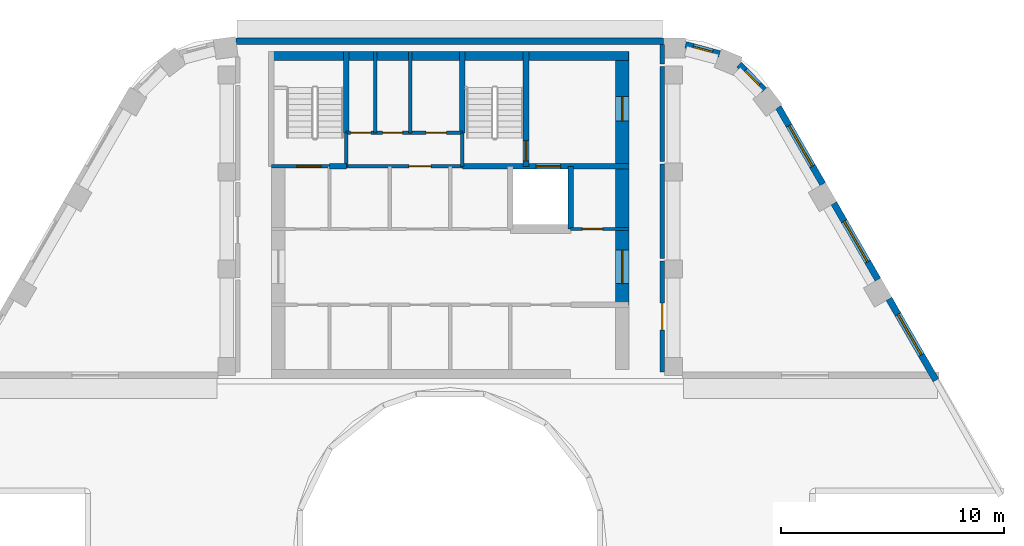
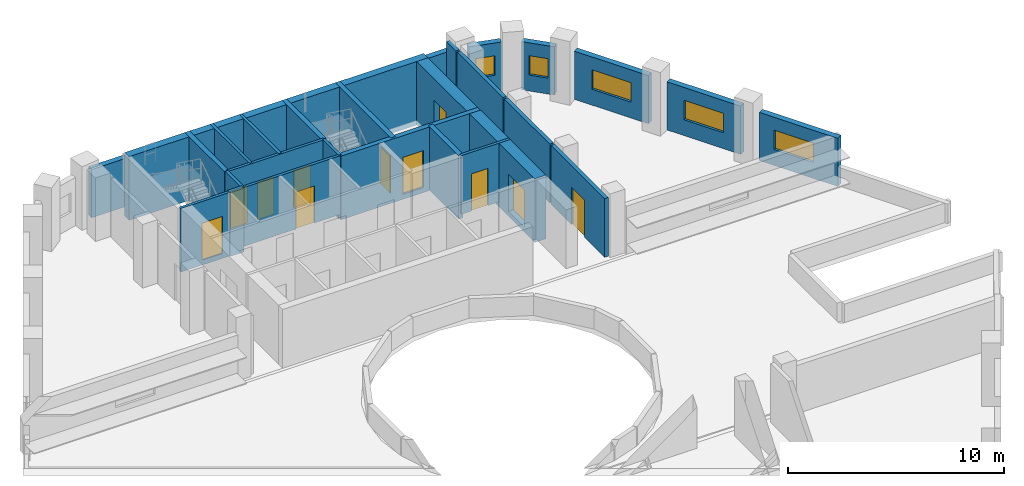
# One storey, part 5 of 9: 26 walls, 11 doors, 5 windows, 16 openings.
"""IFC4 building model written with IfcOpenShell, lengths in metres."""

from ifc_helpers import new_model, si_unit, direction, frame, frame_2d, origin, place, context, subcontext, project, spatial, rectangle, extrude, material, layer, layer_set, type_object, element, fill, save


model = new_model("IFC4")

# Units and contexts
model_context = context("Model", 3, precision=1e-05, world=origin(), true_north=direction((0.0, 1.0)))
body_context = subcontext(model_context, "Body", "Model", "MODEL_VIEW")
ifc_project = project(units=[si_unit("LENGTHUNIT", "METRE"), si_unit("AREAUNIT", "SQUARE_METRE"), si_unit("VOLUMEUNIT", "CUBIC_METRE"), si_unit("PLANEANGLEUNIT", "RADIAN"), si_unit("MASSUNIT", "GRAM", prefix="KILO")], contexts=[model_context])

# Site, building, storey
site_placement = place(None, origin())
site = spatial("IfcSite", under=ifc_project, at=site_placement, CompositionType="ELEMENT")
building_placement = place(site_placement, origin())
building = spatial("IfcBuilding", under=site, at=building_placement, Name="Nakaniwa Court", CompositionType="ELEMENT")
storey_placement = place(building_placement, frame((0.0, 0.0, 276.0)))
storey = spatial("IfcBuildingStorey", under=building, at=storey_placement, Name="C02", CompositionType="ELEMENT", Elevation=276.0)

# Wall, opening, door
ifc_material_1 = material(Name="Acoustic double stud partition")
ifc_layer_1 = layer(ifc_material_1, 0.199951171875)
ifc_layer_set_1 = layer_set([ifc_layer_1], Name="Acoustic double stud partition")
wall_type_1 = type_object("IfcWallType", Name="Acoustic double stud partition 200", PredefinedType="PARTITIONING", material=ifc_layer_set_1)
wall_1_placement = place(storey_placement, frame((89.5, 92.6630859375, 0.0), z_axis=(0.0, 0.0, 1.0), x_axis=(0.0, -1.0, 0.0)))
wall_1 = element("IfcWall", 1, at=wall_1_placement, inside=storey, type_object=wall_type_1, Name="Partition PW-061", PredefinedType="PARTITIONING", context=body_context, shape_type="SweptSolid", body=[
    extrude(rectangle(XDim=4.963134765625, YDim=0.199951171875, at=frame_2d((2.4814453125, 0.0))), origin(), (0.0, 0.0, 1.0), 3.324951171875),
])
opening_1_placement = place(wall_1_placement, frame((1.883056640625, 0.0, 0.0)))
opening_1 = element("IfcOpeningElement", 2, at=opening_1_placement, cuts=wall_1, Name="Opening D-30-02", PredefinedType="OPENING", context=body_context, shape_type="SweptSolid", body=[
    extrude(rectangle(XDim=1.199951171875, YDim=2.10009765625, at=frame_2d((0.60009765625, 1.050048828125))), frame((0.0, 0.10986328125, 0.0), z_axis=(0.0, -1.0, 0.0), x_axis=(1.0, 0.0, 0.0)), (0.0, 0.0, 1.0), 0.219970703125),
])
ifc_material_2 = material(Name="Solid core timber door set, black veneer", Category="wood")
door_type_1 = type_object("IfcDoorType", Name="Internal door 1200", OperationType="NOTDEFINED", PredefinedType="DOOR", material=ifc_material_2)
door_1_placement = place(opening_1_placement, origin())
door_1 = element("IfcDoor", 3, at=door_1_placement, inside=storey, type_object=door_type_1, Name="Door D-30-02 C02-034", OperationType="SINGLE_SWING_LEFT", OverallHeight=2.10009765625, OverallWidth=1.199951171875, PredefinedType="DOOR", context=body_context, shape_type="SweptSolid", body=[
    extrude(rectangle(XDim=1.199951171875, YDim=2.10009765625, at=frame_2d((0.60009765625, 1.050048828125))), frame((0.0, 0.02490234375, 0.0), z_axis=(0.0, -1.0, 0.0), x_axis=(1.0, 0.0, 0.0)), (0.0, 0.0, 1.0), 0.050048828125),
])
fill(opening_1, door_1)

# Walls
wall_2_placement = place(storey_placement, frame((89.5, 92.777099609375, 0.0), z_axis=(0.0, 0.0, 1.0), x_axis=(0.0, 1.0, 0.0)))
element("IfcWall", 4, at=wall_2_placement, inside=storey, type_object=wall_type_1, Name="Partition PW-062", PredefinedType="PARTITIONING", context=body_context, shape_type="SweptSolid", body=[
    extrude(rectangle(XDim=4.23583984375, YDim=0.199951171875, at=frame_2d((2.117919921875, 0.0))), origin(), (0.0, 0.0, 1.0), 3.324951171875),
])
wall_3_placement = place(storey_placement, frame((89.5, 97.126953125, 0.0), z_axis=(0.0, 0.0, 1.0), x_axis=(0.0, 1.0, 0.0)))
element("IfcWall", 5, at=wall_3_placement, inside=storey, type_object=wall_type_1, Name="Partition PW-063", PredefinedType="PARTITIONING", context=body_context, shape_type="SweptSolid", body=[
    extrude(rectangle(XDim=4.236083984375, YDim=0.199951171875, at=frame_2d((2.1181640625, 0.0))), origin(), (0.0, 0.0, 1.0), 3.324951171875),
])
wall_4_placement = place(storey_placement, frame((89.5, 101.47705078125, 0.0), z_axis=(0.0, 0.0, 1.0), x_axis=(0.0, 1.0, 0.0)))
element("IfcWall", 6, at=wall_4_placement, inside=storey, type_object=wall_type_1, Name="Partition PW-064", PredefinedType="PARTITIONING", context=body_context, shape_type="SweptSolid", body=[
    extrude(rectangle(XDim=0.873046875, YDim=0.199951171875, at=frame_2d((0.4365234375, 0.0))), origin(), (0.0, 0.0, 1.0), 3.324951171875),
])

# Wall, opening, window
ifc_material_3 = material(Name="Charcoal ceramic cladding")
ifc_layer_2 = layer(ifc_material_3, 0.02, Name="Ceramic cladding")
ifc_material_4 = material(Name="Ventilated air cavity")
ifc_layer_3 = layer(ifc_material_4, 0.04, ventilated=True, Name="Ventilated cavity")
ifc_material_5 = material(Name="Mineral wool insulation")
ifc_layer_4 = layer(ifc_material_5, 0.1, Name="Insulation")
ifc_material_6 = material(Name="Cement bonded sheathing board")
ifc_layer_5 = layer(ifc_material_6, 0.012, Name="Sheathing")
ifc_material_7 = material(Name="Cold-formed galvanised stud frame with mineral wool infill")
ifc_layer_6 = layer(ifc_material_7, 0.1, Name="Stud frame")
ifc_material_8 = material(Name="Fire-rated gypsum plasterboard lining")
ifc_layer_7 = layer(ifc_material_8, 0.028, Name="Lining")
ifc_layer_set_2 = layer_set([ifc_layer_2, ifc_layer_3, ifc_layer_4, ifc_layer_5, ifc_layer_6, ifc_layer_7], Name="Charcoal ceramic faced external wall system")
wall_type_2 = type_object("IfcWallType", Name="Black ceramic faced external wall 300", PredefinedType="SOLIDWALL", material=ifc_layer_set_2)
wall_5_placement = place(storey_placement, frame((101.751708984375, 87.324951171875, 0.0), z_axis=(0.0, 0.0, 1.0), x_axis=(-0.499981865284, 0.866035873614, 0.0)))
wall_5 = element("IfcWall", 7, at=wall_5_placement, inside=storey, type_object=wall_type_2, Name="C02 external wall 18", PredefinedType="SOLIDWALL", context=body_context, shape_type="SweptSolid", body=[
    extrude(rectangle(XDim=4.209228515625, YDim=0.300048828125, at=frame_2d((2.1044921875, 0.0))), origin(), (0.0, 0.0, 1.0), 2.72509765625),
])
opening_2_placement = place(wall_5_placement, frame((1.30810546875, 0.0, 0.89990234375)))
opening_2 = element("IfcOpeningElement", 8, at=opening_2_placement, cuts=wall_5, Name="Opening W7.06", PredefinedType="OPENING", context=body_context, shape_type="SweptSolid", body=[
    extrude(rectangle(XDim=2.10009765625, YDim=1.10009765625, at=frame_2d((1.050048828125, 0.550048828125))), frame((0.0, 0.159912109375, 0.0), z_axis=(0.0, -1.0, 0.0), x_axis=(1.0, 0.0, 0.0)), (0.0, 0.0, 1.0), 0.320068359375),
])
ifc_material_9 = material(Name="Black anodised aluminium frame with dark low-E laminated double glazing", Category="aluminium")
window_type_1 = type_object("IfcWindowType", Name="Dark glass window 2100x1100 sill 900", PartitioningType="SINGLE_PANEL", PredefinedType="WINDOW", material=ifc_material_9)
window_1_placement = place(opening_2_placement, origin())
window_1 = element("IfcWindow", 9, at=window_1_placement, inside=storey, type_object=window_type_1, Name="C02 habitable room window 18-0", OverallHeight=1.10009765625, OverallWidth=2.10009765625, PartitioningType="SINGLE_PANEL", PredefinedType="WINDOW", context=body_context, shape_type="SweptSolid", body=[
    extrude(rectangle(XDim=2.10009765625, YDim=1.10009765625, at=frame_2d((1.050048828125, 0.550048828125))), frame((0.0, 0.030029296875, 0.0), z_axis=(0.0, -1.0, 0.0), x_axis=(1.0, 0.0, 0.0)), (0.0, 0.0, 1.0), 0.06005859375),
])
fill(opening_2, window_1)

wall_6_placement = place(storey_placement, frame((99.151123046875, 91.8291015625, 0.0), z_axis=(0.0, 0.0, 1.0), x_axis=(-0.499986771468, 0.866033041146, 0.0)))
wall_6 = element("IfcWall", 10, at=wall_6_placement, inside=storey, type_object=wall_type_2, Name="C02 external wall 19", PredefinedType="SOLIDWALL", context=body_context, shape_type="SweptSolid", body=[
    extrude(rectangle(XDim=3.9443359375, YDim=0.300048828125, at=frame_2d((1.97216796875, 0.0))), origin(), (0.0, 0.0, 1.0), 2.72509765625),
])
opening_3_placement = place(wall_6_placement, frame((0.922119140625, 0.0, 0.89990234375)))
opening_3 = element("IfcOpeningElement", 11, at=opening_3_placement, cuts=wall_6, Name="Opening W7.07", PredefinedType="OPENING", context=body_context, shape_type="SweptSolid", body=[
    extrude(rectangle(XDim=2.10009765625, YDim=1.10009765625, at=frame_2d((1.050048828125, 0.550048828125))), frame((0.0, 0.159912109375, 0.0), z_axis=(0.0, -1.0, 0.0), x_axis=(1.0, 0.0, 0.0)), (0.0, 0.0, 1.0), 0.320068359375),
])
window_2_placement = place(opening_3_placement, origin())
window_2 = element("IfcWindow", 12, at=window_2_placement, inside=storey, type_object=window_type_1, Name="C02 habitable room window 19-0", OverallHeight=1.10009765625, OverallWidth=2.10009765625, PartitioningType="SINGLE_PANEL", PredefinedType="WINDOW", context=body_context, shape_type="SweptSolid", body=[
    extrude(rectangle(XDim=2.10009765625, YDim=1.10009765625, at=frame_2d((1.050048828125, 0.550048828125))), frame((0.0, 0.030029296875, 0.0), z_axis=(0.0, -1.0, 0.0), x_axis=(1.0, 0.0, 0.0)), (0.0, 0.0, 1.0), 0.06005859375),
])
fill(opening_3, window_2)

wall_7_placement = place(storey_placement, frame((96.68310546875, 96.10400390625, 0.0), z_axis=(0.0, 0.0, 1.0), x_axis=(-0.500005687176, 0.866022120267, 0.0)))
wall_7 = element("IfcWall", 13, at=wall_7_placement, inside=storey, type_object=wall_type_2, Name="C02 external wall 20", PredefinedType="SOLIDWALL", context=body_context, shape_type="SweptSolid", body=[
    extrude(rectangle(XDim=3.9794921875, YDim=0.300048828125, at=frame_2d((1.98974609375, 0.0))), origin(), (0.0, 0.0, 1.0), 2.72509765625),
])
opening_4_placement = place(wall_7_placement, frame((0.928466796875, 0.0, 0.89990234375)))
opening_4 = element("IfcOpeningElement", 14, at=opening_4_placement, cuts=wall_7, Name="Opening W7.08", PredefinedType="OPENING", context=body_context, shape_type="SweptSolid", body=[
    extrude(rectangle(XDim=2.10009765625, YDim=1.10009765625, at=frame_2d((1.050048828125, 0.550048828125))), frame((0.0, 0.159912109375, 0.0), z_axis=(0.0, -1.0, 0.0), x_axis=(1.0, 0.0, 0.0)), (0.0, 0.0, 1.0), 0.320068359375),
])
window_3_placement = place(opening_4_placement, origin())
window_3 = element("IfcWindow", 15, at=window_3_placement, inside=storey, type_object=window_type_1, Name="C02 habitable room window 20-0", OverallHeight=1.10009765625, OverallWidth=2.10009765625, PartitioningType="SINGLE_PANEL", PredefinedType="WINDOW", context=body_context, shape_type="SweptSolid", body=[
    extrude(rectangle(XDim=2.10009765625, YDim=1.10009765625, at=frame_2d((1.050048828125, 0.550048828125))), frame((0.0, 0.030029296875, 0.0), z_axis=(0.0, -1.0, 0.0), x_axis=(1.0, 0.0, 0.0)), (0.0, 0.0, 1.0), 0.06005859375),
])
fill(opening_4, window_3)

wall_8_placement = place(storey_placement, frame((94.059814453125, 100.314697265625, 0.0), z_axis=(0.0, 0.0, 1.0), x_axis=(-0.6992720923, 0.714855608449, 0.0)))
wall_8 = element("IfcWall", 16, at=wall_8_placement, inside=storey, type_object=wall_type_2, Name="C02 external wall 21", PredefinedType="SOLIDWALL", context=body_context, shape_type="SweptSolid", body=[
    extrude(rectangle(XDim=1.597900390625, YDim=0.300048828125, at=frame_2d((0.798828125, 0.0))), origin(), (0.0, 0.0, 1.0), 2.72509765625),
])
opening_5_placement = place(wall_8_placement, frame((0.32470703125, 0.0, 0.89990234375)))
opening_5 = element("IfcOpeningElement", 17, at=opening_5_placement, cuts=wall_8, Name="Opening W9.09", PredefinedType="OPENING", context=body_context, shape_type="SweptSolid", body=[
    extrude(rectangle(XDim=0.89990234375, YDim=1.10009765625, at=frame_2d((0.449951171875, 0.550048828125))), frame((0.0, 0.159912109375, 0.0), z_axis=(0.0, -1.0, 0.0), x_axis=(1.0, 0.0, 0.0)), (0.0, 0.0, 1.0), 0.320068359375),
])
window_type_2 = type_object("IfcWindowType", Name="Dark glass window 900x1100 sill 900", PartitioningType="SINGLE_PANEL", PredefinedType="WINDOW", material=ifc_material_9)
window_4_placement = place(opening_5_placement, origin())
window_4 = element("IfcWindow", 18, at=window_4_placement, inside=storey, type_object=window_type_2, Name="C02 habitable room window 21-0", OverallHeight=1.10009765625, OverallWidth=0.89990234375, PartitioningType="SINGLE_PANEL", PredefinedType="WINDOW", context=body_context, shape_type="SweptSolid", body=[
    extrude(rectangle(XDim=0.89990234375, YDim=1.10009765625, at=frame_2d((0.449951171875, 0.550048828125))), frame((0.0, 0.030029296875, 0.0), z_axis=(0.0, -1.0, 0.0), x_axis=(1.0, 0.0, 0.0)), (0.0, 0.0, 1.0), 0.06005859375),
])
fill(opening_5, window_4)

wall_9_placement = place(storey_placement, frame((92.064697265625, 101.930908203125, 0.0), z_axis=(0.0, 0.0, 1.0), x_axis=(-0.965371819036, 0.260877846914, 0.0)))
wall_9 = element("IfcWall", 19, at=wall_9_placement, inside=storey, type_object=wall_type_2, Name="C02 external wall 22", PredefinedType="SOLIDWALL", context=body_context, shape_type="SweptSolid", body=[
    extrude(rectangle(XDim=1.577880859375, YDim=0.300048828125, at=frame_2d((0.7890625, 0.0))), origin(), (0.0, 0.0, 1.0), 2.72509765625),
])
opening_6_placement = place(wall_9_placement, frame((0.32861328125, 0.0, 0.89990234375)))
opening_6 = element("IfcOpeningElement", 20, at=opening_6_placement, cuts=wall_9, Name="Opening W9.10", PredefinedType="OPENING", context=body_context, shape_type="SweptSolid", body=[
    extrude(rectangle(XDim=0.89990234375, YDim=1.10009765625, at=frame_2d((0.449951171875, 0.550048828125))), frame((0.0, 0.159912109375, 0.0), z_axis=(0.0, -1.0, 0.0), x_axis=(1.0, 0.0, 0.0)), (0.0, 0.0, 1.0), 0.320068359375),
])
window_5_placement = place(opening_6_placement, origin())
window_5 = element("IfcWindow", 21, at=window_5_placement, inside=storey, type_object=window_type_2, Name="C02 habitable room window 22-0", OverallHeight=1.10009765625, OverallWidth=0.89990234375, PartitioningType="SINGLE_PANEL", PredefinedType="WINDOW", context=body_context, shape_type="SweptSolid", body=[
    extrude(rectangle(XDim=0.89990234375, YDim=1.10009765625, at=frame_2d((0.449951171875, 0.550048828125))), frame((0.0, 0.030029296875, 0.0), z_axis=(0.0, -1.0, 0.0), x_axis=(1.0, 0.0, 0.0)), (0.0, 0.0, 1.0), 0.06005859375),
])
fill(opening_6, window_5)

# Wall
wall_10_placement = place(storey_placement, frame((89.54931640625, 102.5, 0.0), z_axis=(0.0, 0.0, 1.0), x_axis=(-1.0, 0.0, 0.0)))
element("IfcWall", 22, at=wall_10_placement, inside=storey, type_object=wall_type_2, Name="C02 external wall 23", PredefinedType="SOLIDWALL", context=body_context, shape_type="SweptSolid", body=[
    extrude(rectangle(XDim=19.1337890625, YDim=0.300048828125, at=frame_2d((9.56689453125, 0.0))), origin(), (0.0, 0.0, 1.0), 2.72509765625),
])

# Wall, opening, door
ifc_material_10 = material(Name="Blockwork partition", Category="masonry")
ifc_layer_8 = layer(ifc_material_10, 0.14990234375)
ifc_layer_set_3 = layer_set([ifc_layer_8], Name="Blockwork partition")
wall_type_3 = type_object("IfcWallType", Name="Blockwork partition 150", PredefinedType="PARTITIONING", material=ifc_layer_set_3)
wall_11_placement = place(storey_placement, frame((85.39697265625, 94.10009765625, 0.0), z_axis=(0.0, 0.0, 1.0), x_axis=(1.0, 0.0, 0.0)))
wall_11 = element("IfcWall", 23, at=wall_11_placement, inside=storey, type_object=wall_type_3, Name="Partition PW-011", PredefinedType="PARTITIONING", context=body_context, shape_type="SweptSolid", body=[
    extrude(rectangle(XDim=2.60302734375, YDim=0.14990234375, at=frame_2d((1.301513671875, 0.0))), origin(), (0.0, 0.0, 1.0), 3.324951171875),
])
opening_7_placement = place(wall_11_placement, frame((0.528076171875, 0.0, 0.0)))
opening_7 = element("IfcOpeningElement", 24, at=opening_7_placement, cuts=wall_11, Name="Opening D-05-08", PredefinedType="OPENING", context=body_context, shape_type="SweptSolid", body=[
    extrude(rectangle(XDim=0.89990234375, YDim=2.10009765625, at=frame_2d((0.449951171875, 1.050048828125))), frame((0.0, 0.0849609375, 0.0), z_axis=(0.0, -1.0, 0.0), x_axis=(1.0, 0.0, 0.0)), (0.0, 0.0, 1.0), 0.169921875),
])
ifc_material_11 = material(Name="Fire rated steel door set", Category="steel")
door_type_2 = type_object("IfcDoorType", Name="Service room door 900", OperationType="NOTDEFINED", PredefinedType="DOOR", material=ifc_material_11)
door_2_placement = place(opening_7_placement, origin())
door_2 = element("IfcDoor", 25, at=door_2_placement, inside=storey, type_object=door_type_2, Name="Door D-05-08 C02-010", OperationType="SINGLE_SWING_LEFT", OverallHeight=2.10009765625, OverallWidth=0.89990234375, PredefinedType="DOOR", context=body_context, shape_type="SweptSolid", body=[
    extrude(rectangle(XDim=0.89990234375, YDim=2.10009765625, at=frame_2d((0.449951171875, 1.050048828125))), frame((0.0, 0.02490234375, 0.0), z_axis=(0.0, -1.0, 0.0), x_axis=(1.0, 0.0, 0.0)), (0.0, 0.0, 1.0), 0.050048828125),
])
fill(opening_7, door_2)

wall_12_placement = place(storey_placement, frame((75.346923828125, 96.89990234375, 0.0), z_axis=(0.0, 0.0, 1.0), x_axis=(1.0, 0.0, 0.0)))
wall_12 = element("IfcWall", 26, at=wall_12_placement, inside=storey, type_object=wall_type_3, Name="Partition PW-017", PredefinedType="PARTITIONING", context=body_context, shape_type="SweptSolid", body=[
    extrude(rectangle(XDim=5.2060546875, YDim=0.14990234375, at=frame_2d((2.60302734375, 0.0))), origin(), (0.0, 0.0, 1.0), 3.324951171875),
])
opening_8_placement = place(wall_12_placement, frame((2.802978515625, 0.0, 0.0)))
opening_8 = element("IfcOpeningElement", 27, at=opening_8_placement, cuts=wall_12, Name="Opening D-23-01", PredefinedType="OPENING", context=body_context, shape_type="SweptSolid", body=[
    extrude(rectangle(XDim=1.0, YDim=2.10009765625, at=frame_2d((0.5, 1.050048828125))), frame((0.0, 0.0849609375, 0.0), z_axis=(0.0, -1.0, 0.0), x_axis=(1.0, 0.0, 0.0)), (0.0, 0.0, 1.0), 0.169921875),
])
door_type_3 = type_object("IfcDoorType", Name="Service room door 1000", OperationType="NOTDEFINED", PredefinedType="DOOR", material=ifc_material_11)
door_3_placement = place(opening_8_placement, origin())
door_3 = element("IfcDoor", 28, at=door_3_placement, inside=storey, type_object=door_type_3, Name="Door D-23-01 C02-011", OperationType="SINGLE_SWING_RIGHT", OverallHeight=2.10009765625, OverallWidth=1.0, PredefinedType="DOOR", context=body_context, shape_type="SweptSolid", body=[
    extrude(rectangle(XDim=1.0, YDim=2.10009765625, at=frame_2d((0.5, 1.050048828125))), frame((0.0, 0.02490234375, 0.0), z_axis=(0.0, -1.0, 0.0), x_axis=(1.0, 0.0, 0.0)), (0.0, 0.0, 1.0), 0.050048828125),
])
fill(opening_8, door_3)

# Wall, openings, doors
wall_13_placement = place(storey_placement, frame((75.35009765625, 98.39990234375, 0.0), z_axis=(0.0, 0.0, 1.0), x_axis=(1.0, 0.0, 0.0)))
wall_13 = element("IfcWall", 29, at=wall_13_placement, inside=storey, type_object=wall_type_3, Name="Partition PW-026", PredefinedType="PARTITIONING", context=body_context, shape_type="SweptSolid", body=[
    extrude(rectangle(XDim=5.199951171875, YDim=0.14990234375, at=frame_2d((2.60009765625, 0.0))), origin(), (0.0, 0.0, 1.0), 3.324951171875),
])
opening_9_placement = place(wall_13_placement, frame((0.199951171875, 0.0, 0.0)))
opening_9 = element("IfcOpeningElement", 30, at=opening_9_placement, cuts=wall_13, Name="Opening D-05-09", PredefinedType="OPENING", context=body_context, shape_type="SweptSolid", body=[
    extrude(rectangle(XDim=0.89990234375, YDim=2.10009765625, at=frame_2d((0.449951171875, 1.050048828125))), frame((0.0, 0.0849609375, 0.0), z_axis=(0.0, -1.0, 0.0), x_axis=(1.0, 0.0, 0.0)), (0.0, 0.0, 1.0), 0.169921875),
])
opening_10_placement = place(wall_13_placement, frame((1.6298828125, 0.0, 0.0)))
opening_10 = element("IfcOpeningElement", 31, at=opening_10_placement, cuts=wall_13, Name="Opening D-05-10", PredefinedType="OPENING", context=body_context, shape_type="SweptSolid", body=[
    extrude(rectangle(XDim=0.89990234375, YDim=2.10009765625, at=frame_2d((0.449951171875, 1.050048828125))), frame((0.0, 0.0849609375, 0.0), z_axis=(0.0, -1.0, 0.0), x_axis=(1.0, 0.0, 0.0)), (0.0, 0.0, 1.0), 0.169921875),
])
opening_11_placement = place(wall_13_placement, frame((3.580078125, 0.0, 0.0)))
opening_11 = element("IfcOpeningElement", 32, at=opening_11_placement, cuts=wall_13, Name="Opening D-05-11", PredefinedType="OPENING", context=body_context, shape_type="SweptSolid", body=[
    extrude(rectangle(XDim=0.89990234375, YDim=2.10009765625, at=frame_2d((0.449951171875, 1.050048828125))), frame((0.0, 0.0849609375, 0.0), z_axis=(0.0, -1.0, 0.0), x_axis=(1.0, 0.0, 0.0)), (0.0, 0.0, 1.0), 0.169921875),
])
door_4_placement = place(opening_9_placement, origin())
door_4 = element("IfcDoor", 33, at=door_4_placement, inside=storey, type_object=door_type_2, Name="Door D-05-09 C02-012", OperationType="SINGLE_SWING_LEFT", OverallHeight=2.10009765625, OverallWidth=0.89990234375, PredefinedType="DOOR", context=body_context, shape_type="SweptSolid", body=[
    extrude(rectangle(XDim=0.89990234375, YDim=2.10009765625, at=frame_2d((0.449951171875, 1.050048828125))), frame((0.0, 0.02490234375, 0.0), z_axis=(0.0, -1.0, 0.0), x_axis=(1.0, 0.0, 0.0)), (0.0, 0.0, 1.0), 0.050048828125),
])
fill(opening_9, door_4)
door_5_placement = place(opening_10_placement, origin())
door_5 = element("IfcDoor", 34, at=door_5_placement, inside=storey, type_object=door_type_2, Name="Door D-05-10 C02-013", OperationType="SINGLE_SWING_RIGHT", OverallHeight=2.10009765625, OverallWidth=0.89990234375, PredefinedType="DOOR", context=body_context, shape_type="SweptSolid", body=[
    extrude(rectangle(XDim=0.89990234375, YDim=2.10009765625, at=frame_2d((0.449951171875, 1.050048828125))), frame((0.0, 0.02490234375, 0.0), z_axis=(0.0, -1.0, 0.0), x_axis=(1.0, 0.0, 0.0)), (0.0, 0.0, 1.0), 0.050048828125),
])
fill(opening_10, door_5)
door_6_placement = place(opening_11_placement, origin())
door_6 = element("IfcDoor", 35, at=door_6_placement, inside=storey, type_object=door_type_2, Name="Door D-05-11 C02-014", OperationType="SINGLE_SWING_LEFT", OverallHeight=2.10009765625, OverallWidth=0.89990234375, PredefinedType="DOOR", context=body_context, shape_type="SweptSolid", body=[
    extrude(rectangle(XDim=0.89990234375, YDim=2.10009765625, at=frame_2d((0.449951171875, 1.050048828125))), frame((0.0, 0.02490234375, 0.0), z_axis=(0.0, -1.0, 0.0), x_axis=(1.0, 0.0, 0.0)), (0.0, 0.0, 1.0), 0.050048828125),
])
fill(opening_11, door_6)

# Walls
for number, where, z_axis, x_axis, name in (
    (36, (76.64990234375, 98.39990234375, 0.0), (0.0, 0.0, 1.0), (0.0, 1.0, 0.0), "Partition PW-027"),
    (37, (78.2099609375, 98.39990234375, 0.0), (0.0, 0.0, 1.0), (0.0, 1.0, 0.0), "Partition PW-028"),
):
    element("IfcWall", number, at=place(storey_placement, frame(where, z_axis=z_axis, x_axis=x_axis)), inside=storey, type_object=wall_type_3, Name=name, PredefinedType="PARTITIONING", context=body_context, shape_type="SweptSolid", body=[
        extrude(rectangle(XDim=3.650146484375, YDim=0.14990234375, at=frame_2d((1.8251953125, 0.0))), origin(), (0.0, 0.0, 1.0), 3.324951171875),
    ])

# Wall, openings, doors
ifc_material_12 = material(Name="Concrete C80/100", Category="concrete")
ifc_layer_9 = layer(ifc_material_12, 0.60009765625)
ifc_layer_set_4 = layer_set([ifc_layer_9], Name="Concrete C80/100")
wall_type_4 = type_object("IfcWallType", Name="Concrete core side wall 600 C80", PredefinedType="SHEAR", material=ifc_layer_set_4)
wall_14_placement = place(storey_placement, frame((87.699951171875, 102.050048828125, -0.27490234375), z_axis=(0.0, 0.0, 1.0), x_axis=(0.0, -1.0, 0.0)))
wall_14 = element("IfcWall", 38, at=wall_14_placement, inside=storey, type_object=wall_type_4, Name="Core wall SW-13", PredefinedType="SHEAR", context=body_context, shape_type="SweptSolid", body=[
    extrude(rectangle(XDim=11.35009765625, YDim=0.60009765625, at=frame_2d((5.675048828125, 0.0))), origin(), (0.0, 0.0, 1.0), 3.599853515625),
])
opening_12_placement = place(wall_14_placement, frame((8.89990234375, 0.0, 0.27490234375)))
opening_12 = element("IfcOpeningElement", 39, at=opening_12_placement, cuts=wall_14, Name="Opening D-07-01", PredefinedType="OPENING", context=body_context, shape_type="SweptSolid", body=[
    extrude(rectangle(XDim=1.5, YDim=2.10009765625, at=frame_2d((0.75, 1.050048828125))), frame((0.0, 0.31005859375, 0.0), z_axis=(0.0, -1.0, 0.0), x_axis=(1.0, 0.0, 0.0)), (0.0, 0.0, 1.0), 0.6201171875),
])
opening_13_placement = place(wall_14_placement, frame((2.02490234375, 0.0, 0.27490234375)))
opening_13 = element("IfcOpeningElement", 40, at=opening_13_placement, cuts=wall_14, Name="Opening D-10-01", PredefinedType="OPENING", context=body_context, shape_type="SweptSolid", body=[
    extrude(rectangle(XDim=1.10009765625, YDim=2.10009765625, at=frame_2d((0.550048828125, 1.050048828125))), frame((0.0, 0.31005859375, 0.0), z_axis=(0.0, -1.0, 0.0), x_axis=(1.0, 0.0, 0.0)), (0.0, 0.0, 1.0), 0.6201171875),
])
door_type_4 = type_object("IfcDoorType", Name="Firefighting lobby door 1100", OperationType="NOTDEFINED", PredefinedType="DOOR", material=ifc_material_11)
door_7_placement = place(opening_13_placement, origin())
door_7 = element("IfcDoor", 41, at=door_7_placement, inside=storey, type_object=door_type_4, Name="Door D-10-01 C02-039", OperationType="SINGLE_SWING_RIGHT", OverallHeight=2.10009765625, OverallWidth=1.10009765625, PredefinedType="DOOR", context=body_context, shape_type="SweptSolid", body=[
    extrude(rectangle(XDim=1.10009765625, YDim=2.10009765625, at=frame_2d((0.550048828125, 1.050048828125))), frame((0.0, 0.02490234375, 0.0), z_axis=(0.0, -1.0, 0.0), x_axis=(1.0, 0.0, 0.0)), (0.0, 0.0, 1.0), 0.050048828125),
])
fill(opening_13, door_7)
ifc_material_13 = material(Name="Glazed fire rated steel double door set", Category="steel")
door_type_5 = type_object("IfcDoorType", Name="Lobby double door 1500", OperationType="NOTDEFINED", PredefinedType="DOOR", material=ifc_material_13)
door_8_placement = place(opening_12_placement, origin())
door_8 = element("IfcDoor", 42, at=door_8_placement, inside=storey, type_object=door_type_5, Name="Door D-07-01 C02-037", OperationType="DOUBLE_DOOR_SINGLE_SWING", OverallHeight=2.10009765625, OverallWidth=1.5, PredefinedType="DOOR", context=body_context, shape_type="SweptSolid", body=[
    extrude(rectangle(XDim=1.5, YDim=2.10009765625, at=frame_2d((0.75, 1.050048828125))), frame((0.0, 0.02490234375, 0.0), z_axis=(0.0, -1.0, 0.0), x_axis=(1.0, 0.0, 0.0)), (0.0, 0.0, 1.0), 0.050048828125),
])
fill(opening_12, door_8)

# Wall, opening, door
ifc_layer_10 = layer(ifc_material_12, 0.14990234375)
ifc_layer_set_5 = layer_set([ifc_layer_10], Name="Concrete C80/100")
wall_type_5 = type_object("IfcWallType", Name="Concrete core wall 150 C80", PredefinedType="SHEAR", material=ifc_layer_set_5)
wall_15_placement = place(storey_placement, frame((74.60009765625, 96.89990234375, -0.27490234375), z_axis=(0.0, 0.0, 1.0), x_axis=(-1.0, 0.0, 0.0)))
wall_15 = element("IfcWall", 43, at=wall_15_placement, inside=storey, type_object=wall_type_5, Name="Core wall SW-14", PredefinedType="SHEAR", context=body_context, shape_type="SweptSolid", body=[
    extrude(rectangle(XDim=2.60009765625, YDim=0.14990234375, at=frame_2d((1.300048828125, 0.0))), origin(), (0.0, 0.0, 1.0), 3.599853515625),
])
opening_14_placement = place(wall_15_placement, frame((0.3701171875, 0.0, 0.27490234375)))
opening_14 = element("IfcOpeningElement", 44, at=opening_14_placement, cuts=wall_15, Name="Opening D-09-01", PredefinedType="OPENING", context=body_context, shape_type="SweptSolid", body=[
    extrude(rectangle(XDim=1.10009765625, YDim=2.10009765625, at=frame_2d((0.550048828125, 1.050048828125))), frame((0.0, 0.0849609375, 0.0), z_axis=(0.0, -1.0, 0.0), x_axis=(1.0, 0.0, 0.0)), (0.0, 0.0, 1.0), 0.169921875),
])
door_type_6 = type_object("IfcDoorType", Name="Stair door 1100", OperationType="NOTDEFINED", PredefinedType="DOOR", material=ifc_material_11)
door_9_placement = place(opening_14_placement, origin())
door_9 = element("IfcDoor", 45, at=door_9_placement, inside=storey, type_object=door_type_6, Name="Door D-09-01 C02-015", OperationType="SINGLE_SWING_LEFT", OverallHeight=2.10009765625, OverallWidth=1.10009765625, PredefinedType="DOOR", context=body_context, shape_type="SweptSolid", body=[
    extrude(rectangle(XDim=1.10009765625, YDim=2.10009765625, at=frame_2d((0.550048828125, 1.050048828125))), frame((0.0, 0.02490234375, 0.0), z_axis=(0.0, -1.0, 0.0), x_axis=(1.0, 0.0, 0.0)), (0.0, 0.0, 1.0), 0.050048828125),
])
fill(opening_14, door_9)

# Walls
for number, where, z_axis, x_axis, name in (
    (46, (75.35009765625, 96.89990234375, -0.27490234375), (0.0, 0.0, 1.0), (0.0, 1.0, 0.0), "Core wall SW-20"),
    (47, (80.550048828125, 96.89990234375, -0.27490234375), (0.0, 0.0, 1.0), (0.0, 1.0, 0.0), "Core wall SW-24"),
):
    element("IfcWall", number, at=place(storey_placement, frame(where, z_axis=z_axis, x_axis=x_axis)), inside=storey, type_object=wall_type_5, Name=name, PredefinedType="SHEAR", context=body_context, shape_type="SweptSolid", body=[
        extrude(rectangle(XDim=1.503173828125, YDim=0.14990234375, at=frame_2d((0.75146484375, 0.0))), origin(), (0.0, 0.0, 1.0), 3.599853515625),
    ])
ifc_layer_11 = layer(ifc_material_12, 0.39990234375)
ifc_layer_set_6 = layer_set([ifc_layer_11], Name="Concrete C80/100")
wall_type_6 = type_object("IfcWallType", Name="Concrete core wall 400 C80", PredefinedType="SHEAR", material=ifc_layer_set_6)
wall_16_placement = place(storey_placement, frame((72.00390625, 101.85009765625, -0.27490234375), z_axis=(0.0, 0.0, 1.0), x_axis=(1.0, 0.0, 0.0)))
element("IfcWall", 48, at=wall_16_placement, inside=storey, type_object=wall_type_6, Name="Core wall SW-76", PredefinedType="SHEAR", context=body_context, shape_type="SweptSolid", body=[
    extrude(rectangle(XDim=15.9921875, YDim=0.39990234375, at=frame_2d((7.99609375, 0.0))), origin(), (0.0, 0.0, 1.0), 3.599853515625),
])
ifc_layer_12 = layer(ifc_material_12, 0.25)
ifc_layer_set_7 = layer_set([ifc_layer_12], Name="Concrete C80/100")
wall_type_7 = type_object("IfcWallType", Name="Concrete shaft wall 250 C80", PredefinedType="SHEAR", material=ifc_layer_set_7)
wall_17_placement = place(storey_placement, frame((74.60009765625, 96.89990234375, -0.27490234375), z_axis=(0.0, 0.0, 1.0), x_axis=(1.0, 0.0, 0.0)))
element("IfcWall", 49, at=wall_17_placement, inside=storey, type_object=wall_type_7, Name="Core wall SW-15", PredefinedType="SHEAR", context=body_context, shape_type="SweptSolid", body=[
    extrude(rectangle(XDim=0.7529296875, YDim=0.25, at=frame_2d((0.37646484375, 0.0))), origin(), (0.0, 0.0, 1.0), 3.599853515625),
])

# Wall, opening, door
wall_18_placement = place(storey_placement, frame((80.547119140625, 96.89990234375, -0.27490234375), z_axis=(0.0, 0.0, 1.0), x_axis=(1.0, 0.0, 0.0)))
wall_18 = element("IfcWall", 50, at=wall_18_placement, inside=storey, type_object=wall_type_7, Name="Core wall SW-16", PredefinedType="SHEAR", context=body_context, shape_type="SweptSolid", body=[
    extrude(rectangle(XDim=7.452880859375, YDim=0.25, at=frame_2d((3.7265625, 0.0))), origin(), (0.0, 0.0, 1.0), 3.599853515625),
])
opening_15_placement = place(wall_18_placement, frame((3.302001953125, 0.0, 0.27490234375)))
opening_15 = element("IfcOpeningElement", 51, at=opening_15_placement, cuts=wall_18, Name="Opening LD01", PredefinedType="OPENING", context=body_context, shape_type="SweptSolid", body=[
    extrude(rectangle(XDim=1.10009765625, YDim=2.10009765625, at=frame_2d((0.550048828125, 1.050048828125))), frame((0.0, 0.135009765625, 0.0), z_axis=(0.0, -1.0, 0.0), x_axis=(1.0, 0.0, 0.0)), (0.0, 0.0, 1.0), 0.27001953125),
])
ifc_material_14 = material(Name="Stainless steel sliding lift landing door", Category="steel")
door_type_7 = type_object("IfcDoorType", Name="Lift landing door 1100", OperationType="NOTDEFINED", PredefinedType="DOOR", material=ifc_material_14)
door_10_placement = place(opening_15_placement, origin())
door_10 = element("IfcDoor", 52, at=door_10_placement, inside=storey, type_object=door_type_7, Name="Lift landing door LD01 C02-001", OperationType="SLIDING_TO_LEFT", OverallHeight=2.10009765625, OverallWidth=1.10009765625, PredefinedType="DOOR", context=body_context, shape_type="SweptSolid", body=[
    extrude(rectangle(XDim=1.10009765625, YDim=2.10009765625, at=frame_2d((0.550048828125, 1.050048828125))), frame((0.0, 0.02490234375, 0.0), z_axis=(0.0, -1.0, 0.0), x_axis=(1.0, 0.0, 0.0)), (0.0, 0.0, 1.0), 0.050048828125),
])
fill(opening_15, door_10)

# Walls
wall_19_placement = place(storey_placement, frame((85.39990234375, 94.10009765625, -0.27490234375), z_axis=(0.0, 0.0, 1.0), x_axis=(0.0, 1.0, 0.0)))
element("IfcWall", 53, at=wall_19_placement, inside=storey, type_object=wall_type_7, Name="Core wall SW-19", PredefinedType="SHEAR", context=body_context, shape_type="SweptSolid", body=[
    extrude(rectangle(XDim=2.7998046875, YDim=0.25, at=frame_2d((1.39990234375, 0.0))), origin(), (0.0, 0.0, 1.0), 3.599853515625),
])
wall_20_placement = place(storey_placement, frame((75.35009765625, 98.39697265625, -0.27490234375), z_axis=(0.0, 0.0, 1.0), x_axis=(0.0, 1.0, 0.0)))
element("IfcWall", 54, at=wall_20_placement, inside=storey, type_object=wall_type_7, Name="Core wall SW-21", PredefinedType="SHEAR", context=body_context, shape_type="SweptSolid", body=[
    extrude(rectangle(XDim=3.653076171875, YDim=0.25, at=frame_2d((1.82666015625, 0.0))), origin(), (0.0, 0.0, 1.0), 3.599853515625),
])

# Wall, opening, door
wall_21_placement = place(storey_placement, frame((83.39990234375, 102.050048828125, -0.27490234375), z_axis=(0.0, 0.0, 1.0), x_axis=(0.0, -1.0, 0.0)))
wall_21 = element("IfcWall", 55, at=wall_21_placement, inside=storey, type_object=wall_type_7, Name="Core wall SW-23", PredefinedType="SHEAR", context=body_context, shape_type="SweptSolid", body=[
    extrude(rectangle(XDim=5.150146484375, YDim=0.25, at=frame_2d((2.5751953125, 0.0))), origin(), (0.0, 0.0, 1.0), 3.599853515625),
])
opening_16_placement = place(wall_21_placement, frame((4.0, 0.0, 0.27490234375)))
opening_16 = element("IfcOpeningElement", 56, at=opening_16_placement, cuts=wall_21, Name="Opening D-11-01", PredefinedType="OPENING", context=body_context, shape_type="SweptSolid", body=[
    extrude(rectangle(XDim=0.89990234375, YDim=2.10009765625, at=frame_2d((0.449951171875, 1.050048828125))), frame((0.0, 0.135009765625, 0.0), z_axis=(0.0, -1.0, 0.0), x_axis=(1.0, 0.0, 0.0)), (0.0, 0.0, 1.0), 0.27001953125),
])
door_type_8 = type_object("IfcDoorType", Name="Stair door 900", OperationType="NOTDEFINED", PredefinedType="DOOR", material=ifc_material_11)
door_11_placement = place(opening_16_placement, origin())
door_11 = element("IfcDoor", 57, at=door_11_placement, inside=storey, type_object=door_type_8, Name="Door D-11-01 C02-016", OperationType="SINGLE_SWING_RIGHT", OverallHeight=2.10009765625, OverallWidth=0.89990234375, PredefinedType="DOOR", context=body_context, shape_type="SweptSolid", body=[
    extrude(rectangle(XDim=0.89990234375, YDim=2.10009765625, at=frame_2d((0.449951171875, 1.050048828125))), frame((0.0, 0.02490234375, 0.0), z_axis=(0.0, -1.0, 0.0), x_axis=(1.0, 0.0, 0.0)), (0.0, 0.0, 1.0), 0.050048828125),
])
fill(opening_16, door_11)

# Wall
wall_22_placement = place(storey_placement, frame((80.550048828125, 98.39697265625, -0.27490234375), z_axis=(0.0, 0.0, 1.0), x_axis=(0.0, 1.0, 0.0)))
element("IfcWall", 58, at=wall_22_placement, inside=storey, type_object=wall_type_7, Name="Core wall SW-25", PredefinedType="SHEAR", context=body_context, shape_type="SweptSolid", body=[
    extrude(rectangle(XDim=3.653076171875, YDim=0.25, at=frame_2d((1.82666015625, 0.0))), origin(), (0.0, 0.0, 1.0), 3.599853515625),
])

save(model, "model.ifc")
